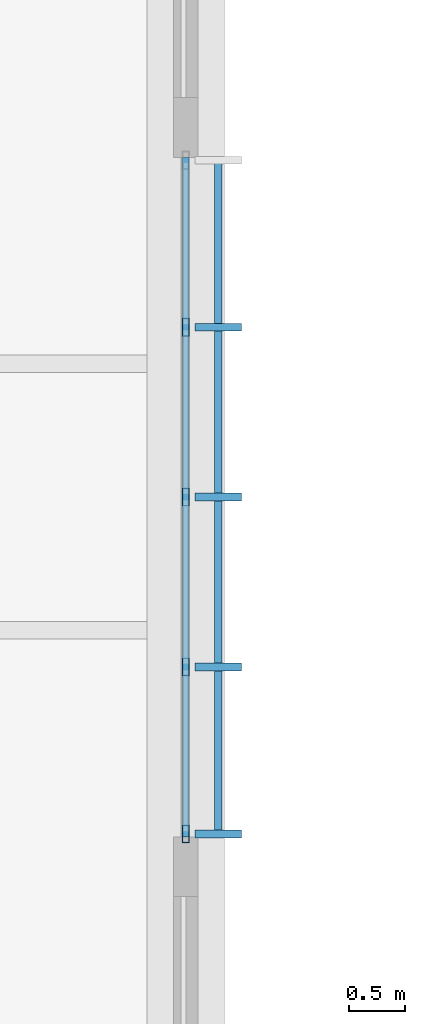
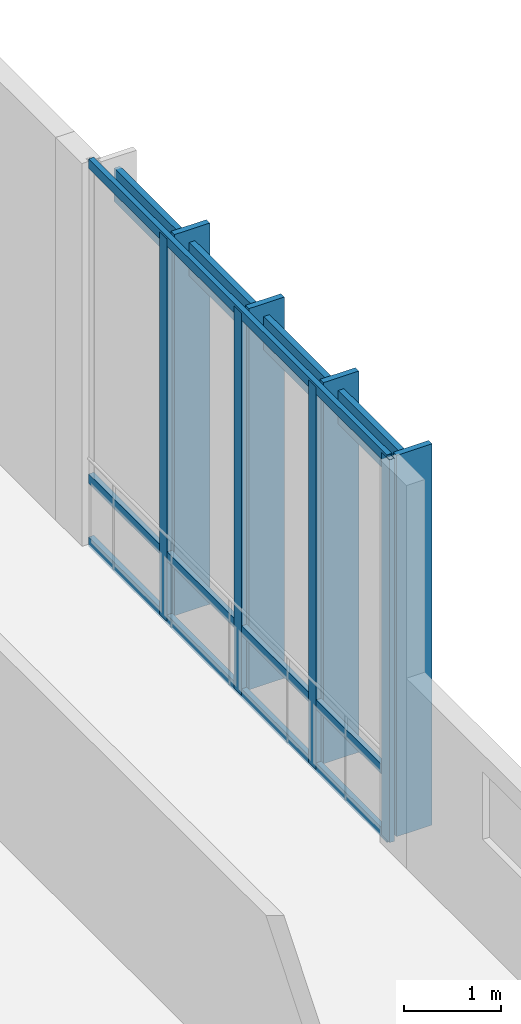
# One storey, part 101 of 177: 12 members, 1 element without a shape of its own.
"""IFC4 building model written with IfcOpenShell, lengths in metres."""

from ifc_helpers import new_model, si_unit, direction, frame, origin, origin_2d, place, context, subcontext, project, spatial, rectangle, hollow_rectangle, extrude, material, material_profile, profile_set, type_object, element, aggregate, save


model = new_model("IFC4")

# Units and contexts
model_context = context("Model", 3, precision=1e-05, world=origin(), true_north=direction((0.0, 1.0)))
body_context = subcontext(model_context, "Body", "Model", "MODEL_VIEW")
ifc_project = project(units=[si_unit("LENGTHUNIT", "METRE"), si_unit("AREAUNIT", "SQUARE_METRE"), si_unit("VOLUMEUNIT", "CUBIC_METRE"), si_unit("PLANEANGLEUNIT", "RADIAN"), si_unit("MASSUNIT", "GRAM", prefix="KILO")], contexts=[model_context])

# Site, building, storey
site_placement = place(None, origin())
site = spatial("IfcSite", under=ifc_project, at=site_placement, CompositionType="ELEMENT")
building_placement = place(site_placement, origin())
building = spatial("IfcBuilding", under=site, at=building_placement, Name="Chiffa Square Polytechnic", CompositionType="ELEMENT")
storey_placement = place(building_placement, frame((0.0, 0.0, 4.800048828125)))
storey = spatial("IfcBuildingStorey", under=building, at=storey_placement, Name="L01", CompositionType="ELEMENT", Elevation=4.800048828125)

# Curtain wall, members
ifc_material_1 = material(Name="Aluminium EN AW-6060 T66 and glulam shading", Category="wood")
curtain_wall_type = type_object("IfcCurtainWallType", Name="CW-VERT-300X380", PredefinedType="USERDEFINED", material=ifc_material_1)
curtain_wall_placement = place(storey_placement, origin())
curtain_wall = element("IfcCurtainWall", 1, at=curtain_wall_placement, inside=storey, type_object=curtain_wall_type, Name="Curtain wall CW-V2-L01-147", ObjectType="CURTAIN WALL", PredefinedType="USERDEFINED")
ifc_material_2 = material(Name="Aluminium EN AW-6060 T66", Category="aluminium")
ifc_material_profile_1 = material_profile(ifc_material_2, hollow_rectangle(XDim=0.06005859375, YDim=0.159912109375, WallThickness=0.00390625, at=origin_2d()), Name="ALU 60x160x4")
ifc_profile_set_1 = profile_set([ifc_material_profile_1], Name="Aluminium EN AW-6060 T66")
member_type_1 = type_object("IfcMemberType", Name="CWM-ALU-65X150", PredefinedType="MULLION", material=ifc_profile_set_1)
member_1_placement = place(storey_placement, frame((130.199951171875, 65.965087890625, 0.0), z_axis=(0.0, 0.0, 1.0), x_axis=(1.0, 0.0, 0.0)))
member_1 = element("IfcMember", 2, at=member_1_placement, type_object=member_type_1, Name="Curtain wall mullion CW-V2-L01-147-M00", PredefinedType="MULLION", context=body_context, shape_type="SweptSolid", body=[
    extrude(hollow_rectangle(XDim=0.06005859375, YDim=0.159912109375, WallThickness=0.00390625, at=origin_2d()), origin(), (0.0, 0.0, 1.0), 4.800048828125),
])
member_2_placement = place(storey_placement, frame((130.199951171875, 67.469970703125, 0.0), z_axis=(0.0, 0.0, 1.0), x_axis=(1.0, 0.0, 0.0)))
member_2 = element("IfcMember", 3, at=member_2_placement, type_object=member_type_1, Name="Curtain wall mullion CW-V2-L01-147-M01", PredefinedType="MULLION", context=body_context, shape_type="SweptSolid", body=[
    extrude(hollow_rectangle(XDim=0.06005859375, YDim=0.159912109375, WallThickness=0.00390625, at=origin_2d()), origin(), (0.0, 0.0, 1.0), 4.800048828125),
])
member_3_placement = place(storey_placement, frame((130.199951171875, 69.0, 0.0), z_axis=(0.0, 0.0, 1.0), x_axis=(1.0, 0.0, 0.0)))
member_3 = element("IfcMember", 4, at=member_3_placement, type_object=member_type_1, Name="Curtain wall mullion CW-V2-L01-147-M02", PredefinedType="MULLION", context=body_context, shape_type="SweptSolid", body=[
    extrude(hollow_rectangle(XDim=0.06005859375, YDim=0.159912109375, WallThickness=0.00390625, at=origin_2d()), origin(), (0.0, 0.0, 1.0), 4.800048828125),
])
member_4_placement = place(storey_placement, frame((130.199951171875, 70.530029296875, 0.0), z_axis=(0.0, 0.0, 1.0), x_axis=(1.0, 0.0, 0.0)))
member_4 = element("IfcMember", 5, at=member_4_placement, type_object=member_type_1, Name="Curtain wall mullion CW-V2-L01-147-M03", PredefinedType="MULLION", context=body_context, shape_type="SweptSolid", body=[
    extrude(hollow_rectangle(XDim=0.06005859375, YDim=0.159912109375, WallThickness=0.00390625, at=origin_2d()), origin(), (0.0, 0.0, 1.0), 4.800048828125),
])
ifc_material_3 = material(Name="Glulam GL28h", Category="wood")
ifc_material_profile_2 = material_profile(ifc_material_3, rectangle(XDim=0.070068359375, YDim=0.419921875, at=origin_2d()), Name="GL28h 70x420")
ifc_profile_set_2 = profile_set([ifc_material_profile_2], Name="Glulam GL28h")
member_type_2 = type_object("IfcMemberType", Name="CWM-GL-70X420", PredefinedType="MULLION", material=ifc_profile_set_2)
member_5_placement = place(storey_placement, frame((130.491943359375, 65.965087890625, 0.010009765625), z_axis=(0.0, 0.0, 1.0), x_axis=(0.0, 1.0, 0.0)))
member_5 = element("IfcMember", 6, at=member_5_placement, type_object=member_type_2, Name="Exterior glulam solar fin CW-V2-L01-147-FN00", PredefinedType="MULLION", context=body_context, shape_type="SweptSolid", body=[
    extrude(rectangle(XDim=0.070068359375, YDim=0.419921875, at=origin_2d()), origin(), (0.0, 0.0, 1.0), 4.780029296875),
])
member_6_placement = place(storey_placement, frame((130.491943359375, 67.469970703125, 0.010009765625), z_axis=(0.0, 0.0, 1.0), x_axis=(0.0, 1.0, 0.0)))
member_6 = element("IfcMember", 7, at=member_6_placement, type_object=member_type_2, Name="Exterior glulam solar fin CW-V2-L01-147-FN01", PredefinedType="MULLION", context=body_context, shape_type="SweptSolid", body=[
    extrude(rectangle(XDim=0.070068359375, YDim=0.419921875, at=origin_2d()), origin(), (0.0, 0.0, 1.0), 4.780029296875),
])
member_7_placement = place(storey_placement, frame((130.491943359375, 69.0, 0.010009765625), z_axis=(0.0, 0.0, 1.0), x_axis=(0.0, 1.0, 0.0)))
member_7 = element("IfcMember", 8, at=member_7_placement, type_object=member_type_2, Name="Exterior glulam solar fin CW-V2-L01-147-FN02", PredefinedType="MULLION", context=body_context, shape_type="SweptSolid", body=[
    extrude(rectangle(XDim=0.070068359375, YDim=0.419921875, at=origin_2d()), origin(), (0.0, 0.0, 1.0), 4.780029296875),
])
member_8_placement = place(storey_placement, frame((130.491943359375, 70.530029296875, 0.010009765625), z_axis=(0.0, 0.0, 1.0), x_axis=(0.0, 1.0, 0.0)))
member_8 = element("IfcMember", 9, at=member_8_placement, type_object=member_type_2, Name="Exterior glulam solar fin CW-V2-L01-147-FN03", PredefinedType="MULLION", context=body_context, shape_type="SweptSolid", body=[
    extrude(rectangle(XDim=0.070068359375, YDim=0.419921875, at=origin_2d()), origin(), (0.0, 0.0, 1.0), 4.780029296875),
])
ifc_material_profile_3 = material_profile(ifc_material_2, hollow_rectangle(XDim=0.06005859375, YDim=0.1201171875, WallThickness=0.00390625, at=origin_2d()), Name="ALU 60x120x4")
ifc_profile_set_3 = profile_set([ifc_material_profile_3], Name="Aluminium EN AW-6060 T66")
member_type_3 = type_object("IfcMemberType", Name="CWT-ALU-65X120", PredefinedType="USERDEFINED", material=ifc_profile_set_3)
member_9_placement = place(storey_placement, frame((130.199951171875, 65.93798828125, 0.030029296875), z_axis=(0.0, 1.0, 0.0), x_axis=(-1.0, 0.0, 0.0)))
member_9 = element("IfcMember", 10, at=member_9_placement, type_object=member_type_3, Name="Curtain wall transom CW-V2-L01-147-T01", ObjectType="TRANSOM", PredefinedType="USERDEFINED", context=body_context, shape_type="SweptSolid", body=[
    extrude(hollow_rectangle(XDim=0.06005859375, YDim=0.1201171875, WallThickness=0.00390625, at=origin_2d()), origin(), (0.0, 0.0, 1.0), 6.1240234375),
])
member_10_placement = place(storey_placement, frame((130.199951171875, 65.93798828125, 0.820068359375), z_axis=(0.0, 1.0, 0.0), x_axis=(-1.0, 0.0, 0.0)))
member_10 = element("IfcMember", 11, at=member_10_placement, type_object=member_type_3, Name="Curtain wall transom CW-V2-L01-147-T02", ObjectType="TRANSOM", PredefinedType="USERDEFINED", context=body_context, shape_type="SweptSolid", body=[
    extrude(hollow_rectangle(XDim=0.06005859375, YDim=0.1201171875, WallThickness=0.00390625, at=origin_2d()), origin(), (0.0, 0.0, 1.0), 6.1240234375),
])
member_11_placement = place(storey_placement, frame((130.199951171875, 65.93798828125, 4.77001953125), z_axis=(0.0, 1.0, 0.0), x_axis=(-1.0, 0.0, 0.0)))
member_11 = element("IfcMember", 12, at=member_11_placement, type_object=member_type_3, Name="Curtain wall transom CW-V2-L01-147-T03", ObjectType="TRANSOM", PredefinedType="USERDEFINED", context=body_context, shape_type="SweptSolid", body=[
    extrude(hollow_rectangle(XDim=0.06005859375, YDim=0.1201171875, WallThickness=0.00390625, at=origin_2d()), origin(), (0.0, 0.0, 1.0), 6.1240234375),
])
ifc_material_profile_4 = material_profile(ifc_material_3, rectangle(XDim=0.070068359375, YDim=0.419921875, at=origin_2d()), Name="GL28h 70x420")
ifc_profile_set_4 = profile_set([ifc_material_profile_4], Name="Glulam GL28h")
member_type_4 = type_object("IfcMemberType", Name="CWT-GL-70X420", PredefinedType="USERDEFINED", material=ifc_profile_set_4)
member_12_placement = place(storey_placement, frame((130.491943359375, 65.965087890625, 4.419921875), z_axis=(0.0, 1.0, 0.0), x_axis=(-1.0, 0.0, 0.0)))
member_12 = element("IfcMember", 13, at=member_12_placement, type_object=member_type_4, Name="Exterior glulam brise-soleil CW-V2-L01-147-BS01", ObjectType="TRANSOM", PredefinedType="USERDEFINED", context=body_context, shape_type="SweptSolid", body=[
    extrude(rectangle(XDim=0.070068359375, YDim=0.419921875, at=origin_2d()), origin(), (0.0, 0.0, 1.0), 6.06982421875),
])
aggregate(curtain_wall, [member_1, member_5, member_2, member_6, member_3, member_7, member_4, member_8, member_9, member_10, member_11, member_12])

save(model, "model.ifc")
